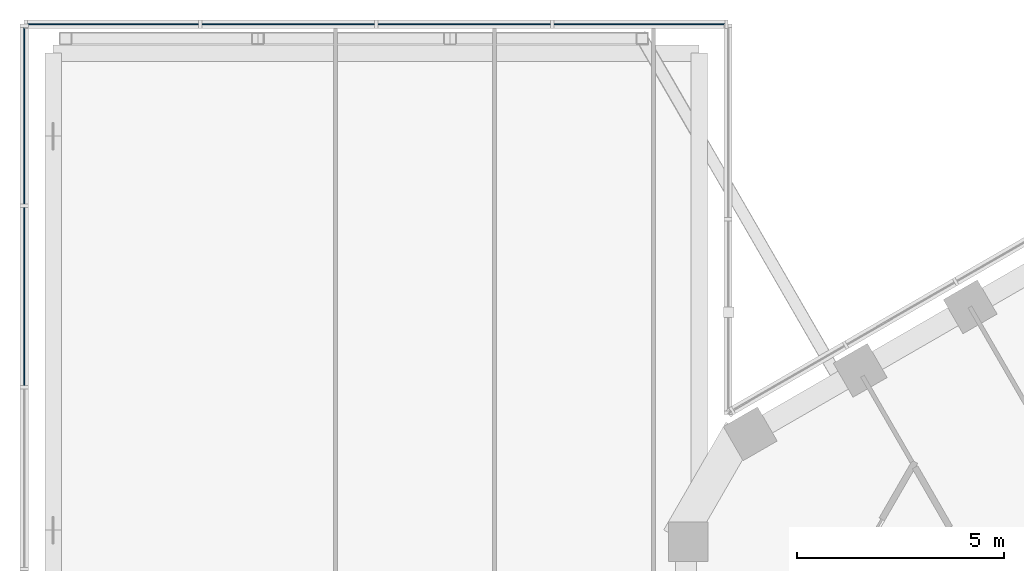
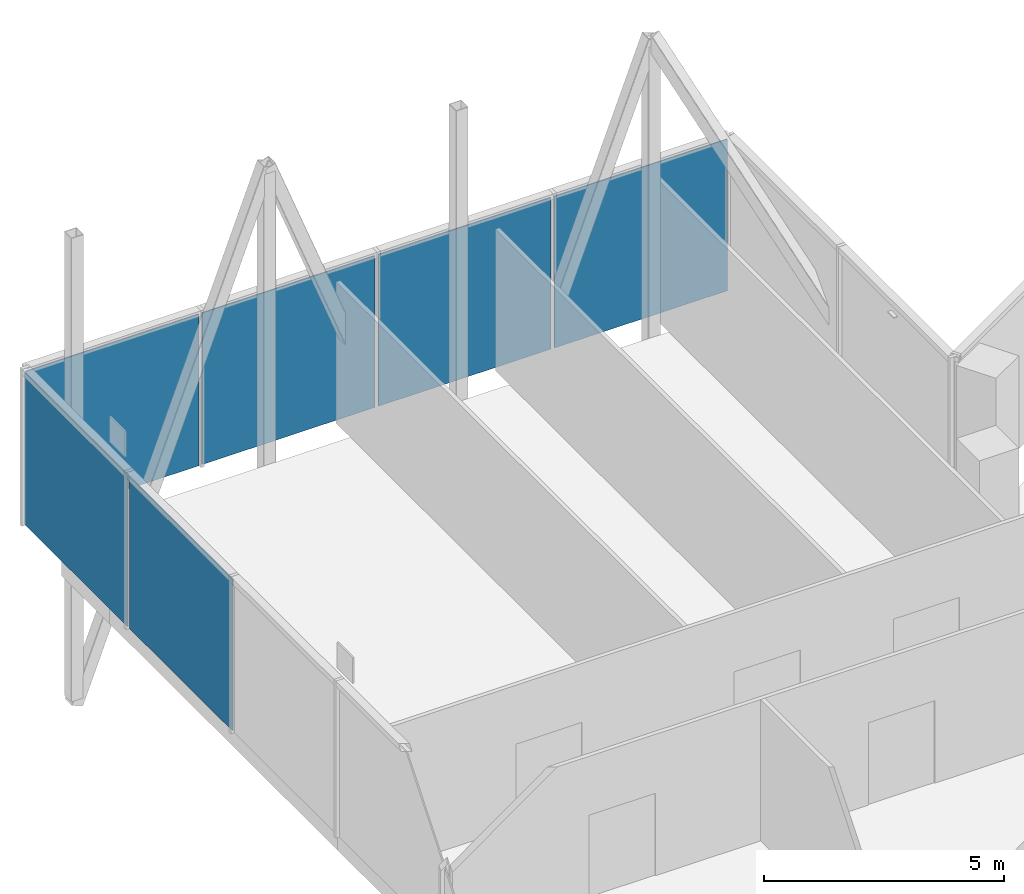
# One storey, part 12 of 21: 6 plates, 2 elements without a shape of their own.
"""IFC4 building model written with IfcOpenShell, lengths in metres."""

import ifcopenshell
import ifcopenshell.guid

model = None  # the IFC model being written
_history = None  # IfcOwnerHistory: only IFC2X3 demands one
_inside = {}  # id of a spatial element -> (the spatial element, [elements in it])
_under = {}  # id of a project, library or spatial element -> (it, [spatial elements below it])
_declared = {}  # id of a project -> (the project, [libraries it declares])
_typed = {}  # id of a type object -> (the type object, [elements of that type])
_made_of = {}  # id of a material, layer set ... -> (it, [elements and type objects made of it])


def new_model(schema):
    """Start an empty IFC model of exactly this schema.

    Asked for "IFC4X3", IfcOpenShell would pick the latest addendum, in which some entities
    have other attributes; the version numbers below select the first issue.
    IFC2X3 requires an IfcOwnerHistory on every rooted entity: one is made here for all.
    """
    global model, _history
    if schema == "IFC4X3":
        model = ifcopenshell.file(schema_version=(4, 3, 0, 0))
    else:
        model = ifcopenshell.file(schema=schema)
    _inside.clear()
    _under.clear()
    _declared.clear()
    _typed.clear()
    _made_of.clear()
    _history = None
    if model.schema == "IFC2X3":
        org = make("IfcOrganization", Name="unknown")
        user = make(
            "IfcPersonAndOrganization",
            ThePerson=make("IfcPerson", FamilyName="unknown"),
            TheOrganization=org,
        )
        app = make(
            "IfcApplication",
            ApplicationDeveloper=org,
            Version="unknown",
            ApplicationFullName="unknown",
            ApplicationIdentifier="unknown",
        )
        _history = make(
            "IfcOwnerHistory",
            OwningUser=user,
            OwningApplication=app,
            ChangeAction="ADDED",
            CreationDate=0,
        )
    return model


def make(cls, **values):
    """One entity of the class cls with the attributes given. An attribute that is None is left unset."""
    return model.create_entity(
        cls, **{name: value for name, value in values.items() if value is not None}
    )


def rooted(cls, **values):
    """An entity with a GlobalId (a new one), such as an element, a storey or a relation."""
    return make(cls, GlobalId=ifcopenshell.guid.new(), OwnerHistory=_history, **values)


def si_unit(unit_type, name, prefix=None):
    """IfcSIUnit, for example si_unit("LENGTHUNIT", "METRE", prefix="MILLI")."""
    return make("IfcSIUnit", UnitType=unit_type, Prefix=prefix, Name=name)


def assignment(units):
    """IfcUnitAssignment: the units of a project."""
    return None if units is None else make("IfcUnitAssignment", Units=units)


def point(xyz):
    """IfcCartesianPoint."""
    return None if xyz is None else make("IfcCartesianPoint", Coordinates=xyz)


def direction(xyz):
    """IfcDirection."""
    return None if xyz is None else make("IfcDirection", DirectionRatios=xyz)


def frame(location, z_axis=None, x_axis=None):
    """IfcAxis2Placement3D, a coordinate frame: its origin and axes. An axis left out is left unset."""
    return make(
        "IfcAxis2Placement3D",
        Location=point(location),
        Axis=direction(z_axis),
        RefDirection=direction(x_axis),
    )


def frame_2d(location, x_axis=None):
    """IfcAxis2Placement2D, a coordinate frame in the plane: its origin and x axis."""
    return make(
        "IfcAxis2Placement2D", Location=point(location), RefDirection=direction(x_axis)
    )


def origin():
    """The frame at (0, 0, 0) with its axes left unset."""
    return frame((0.0, 0.0, 0.0))


def origin_2d():
    """The frame at (0, 0) in the plane with its x axis left unset."""
    return frame_2d((0.0, 0.0))


def place(relative_to, where):
    """IfcLocalPlacement: puts the frame where relative to a parent placement (None: the world)."""
    return make(
        "IfcLocalPlacement", PlacementRelTo=relative_to, RelativePlacement=where
    )


def context(
    kind, dimensions, precision=None, world=None, true_north=None, identifier=None
):
    """IfcGeometricRepresentationContext, for example the 3D "Model" context."""
    return make(
        "IfcGeometricRepresentationContext",
        ContextIdentifier=identifier,
        ContextType=kind,
        CoordinateSpaceDimension=dimensions,
        Precision=precision,
        WorldCoordinateSystem=world,
        TrueNorth=true_north,
    )


def subcontext(parent, identifier, kind, view, scale=None):
    """IfcGeometricRepresentationSubContext, for example "Body" below "Model"."""
    return make(
        "IfcGeometricRepresentationSubContext",
        ContextIdentifier=identifier,
        ContextType=kind,
        ParentContext=parent,
        TargetScale=scale,
        TargetView=view,
    )


def project(units=None, contexts=None):
    """IfcProject with its units and contexts."""
    return rooted(
        "IfcProject",
        Name="project",
        RepresentationContexts=contexts,
        UnitsInContext=assignment(units),
    )


def spatial(cls, under=None, at=None, **own):
    """A site, building, storey or space (cls), placed at a placement, below another one or the project."""
    s = rooted(cls, ObjectPlacement=at, **own)
    if under is not None:
        _under.setdefault(under.id(), (under, []))[1].append(s)
    return s


def profile(cls, at=None, kind="AREA", **sizes):
    """A parametric profile (cls). Its sizes go by their IFC names, for example OverallWidth=200.0."""
    return make(cls, ProfileType=kind, Position=at, **sizes)


def rectangle(**sizes):
    """IfcRectangleProfileDef."""
    return profile("IfcRectangleProfileDef", **sizes)


def extrude(swept, where, along, depth):
    """IfcExtrudedAreaSolid: the profile swept, set in the frame where, extruded along a direction by depth."""
    return make(
        "IfcExtrudedAreaSolid",
        SweptArea=swept,
        Position=where,
        ExtrudedDirection=direction(along),
        Depth=depth,
    )


def shape(context_of_items, identifier, shape_type, items):
    """IfcShapeRepresentation: the items that make up one representation, for example the "Body"."""
    return make(
        "IfcShapeRepresentation",
        ContextOfItems=context_of_items,
        RepresentationIdentifier=identifier,
        RepresentationType=shape_type,
        Items=items,
    )


def material(Name=None, Category=None):
    """IfcMaterial."""
    return make("IfcMaterial", Name=Name, Category=Category)


def layer(
    of_material, thickness, ventilated=None, Name=None, Category=None, Priority=None
):
    """IfcMaterialLayer: one layer of a wall or slab, of a material (None: an air gap)."""
    return make(
        "IfcMaterialLayer",
        Material=of_material,
        LayerThickness=thickness,
        IsVentilated=ventilated,
        Name=Name,
        Category=Category,
        Priority=Priority,
    )


def layer_set(layers, Name=None):
    """IfcMaterialLayerSet."""
    return make("IfcMaterialLayerSet", MaterialLayers=layers, LayerSetName=Name)


def made_of(thing, what):
    """Note that an element or type object is made of a material, layer set ...; save() writes the relation."""
    if what is not None:
        _made_of.setdefault(what.id(), (what, []))[1].append(thing)
    return thing


def type_object(cls, material=None, **own):
    """A type object (cls), such as IfcWallType, which elements share."""
    return made_of(rooted(cls, **own), material)


def element(
    cls,
    number,
    at=None,
    inside=None,
    cuts=None,
    type_object=None,
    material=None,
    context=None,
    identifier="Body",
    shape_type=None,
    held_by="IfcProductDefinitionShape",
    body=None,
    shapes=None,
    **own,
):
    """One element of the class cls, such as IfcWall. Its Tag is "e" and its number.

    at: its placement. inside: the storey or other place that contains it. cuts: it is an
    opening in that element (IfcRelVoidsElement). A single representation is given by context,
    identifier, shape_type and body (its items); several are given by shapes. held_by: the class
    of the entity that holds the representations. save() writes the other relations.
    """
    e = rooted(cls, Tag="e%d" % number, ObjectPlacement=at, **own)
    if body is not None:
        shapes = [shape(context, identifier, shape_type, body)]
    if shapes is not None:
        e.Representation = make(held_by, Representations=shapes)
    if inside is not None:
        _inside.setdefault(inside.id(), (inside, []))[1].append(e)
    if cuts is not None:
        rooted(
            "IfcRelVoidsElement", RelatingBuildingElement=cuts, RelatedOpeningElement=e
        )
    if type_object is not None:
        _typed.setdefault(type_object.id(), (type_object, []))[1].append(e)
    return made_of(e, material)


def aggregate(whole, parts):
    """IfcRelAggregates: a whole, such as a stair, and the parts it consists of."""
    return rooted("IfcRelAggregates", RelatingObject=whole, RelatedObjects=parts)


def save(model, path):
    """Write the relations noted so far, then the file.

    IfcRelAggregates (storeys below a building ...), IfcRelContainedInSpatialStructure (elements
    in a storey), IfcRelDefinesByType, IfcRelAssociatesMaterial and IfcRelDeclares: one each for
    every whole, place, type object, material and project.
    """
    for whole, parts in _under.values():
        aggregate(whole, parts)
    for where, things in _inside.values():
        rooted(
            "IfcRelContainedInSpatialStructure",
            RelatedElements=things,
            RelatingStructure=where,
        )
    for kind, things in _typed.values():
        rooted("IfcRelDefinesByType", RelatedObjects=things, RelatingType=kind)
    for what, things in _made_of.values():
        rooted("IfcRelAssociatesMaterial", RelatedObjects=things, RelatingMaterial=what)
    for by, libraries in _declared.values():
        rooted("IfcRelDeclares", RelatingContext=by, RelatedDefinitions=libraries)
    model.write(path)


model = new_model("IFC4")

# Units and contexts
model_context = context("Model", 3, precision=1e-05, world=origin(), true_north=direction((0.0, 1.0)))
body_context = subcontext(model_context, "Body", "Model", "MODEL_VIEW")
ifc_project = project(units=[si_unit("LENGTHUNIT", "METRE"), si_unit("AREAUNIT", "SQUARE_METRE"), si_unit("VOLUMEUNIT", "CUBIC_METRE"), si_unit("PLANEANGLEUNIT", "RADIAN"), si_unit("MASSUNIT", "GRAM", prefix="KILO")], contexts=[model_context])

# Site, building, storey
site_placement = place(None, origin())
site = spatial("IfcSite", under=ifc_project, at=site_placement, CompositionType="ELEMENT")
building_placement = place(site_placement, origin())
building = spatial("IfcBuilding", under=site, at=building_placement, Name="Ayvan Gate Tower", CompositionType="ELEMENT")
storey_placement = place(building_placement, frame((0.0, 0.0, 206.10009765625)))
storey = spatial("IfcBuildingStorey", under=building, at=storey_placement, Name="L55", CompositionType="ELEMENT", Elevation=206.10009765625)

# Curtain wall, plates
ifc_material_1 = material(Name="Bronze anodised aluminium", Category="aluminium")
ifc_layer_1 = layer(ifc_material_1, 0.199951171875)
ifc_layer_set_1 = layer_set([ifc_layer_1], Name="Bronze anodised aluminium")
curtain_wall_type = type_object("IfcCurtainWallType", Name="Stick curtain wall CW-4", PredefinedType="NOTDEFINED", material=ifc_layer_set_1)
curtain_wall_1_placement = place(storey_placement, origin())
curtain_wall_1 = element("IfcCurtainWall", 1, at=curtain_wall_1_placement, inside=storey, type_object=curtain_wall_type, Name="Stick curtain wall CW-4 L55", PredefinedType="NOTDEFINED")
ifc_material_2 = material(Name="Pale anodised aluminium composite panel", Category="aluminium")
ifc_layer_2 = layer(ifc_material_2, 0.028076171875)
ifc_layer_set_2 = layer_set([ifc_layer_2], Name="Pale anodised aluminium composite panel")
plate_type = type_object("IfcPlateType", Name="Stick curtain wall CW-4 solid panel", PredefinedType="CURTAIN_PANEL", material=ifc_layer_set_2)
plate_1_placement = place(storey_placement, frame((-18.375732421875, 21.800048828125, 0.0), z_axis=(0.0, 0.0, 1.0), x_axis=(-1.0, 0.0, 0.0)))
plate_1 = element("IfcPlate", 2, at=plate_1_placement, type_object=plate_type, Name="CW-4 solid panel 1", PredefinedType="CURTAIN_PANEL", context=body_context, shape_type="SweptSolid", body=[
    extrude(rectangle(XDim=4.162353515625, YDim=0.028076171875, at=origin_2d()), origin(), (0.0, 0.0, 1.0), 3.860107421875),
])
plate_2_placement = place(storey_placement, frame((-22.6181640625, 21.800048828125, 0.0), z_axis=(0.0, 0.0, 1.0), x_axis=(-1.0, 0.0, 0.0)))
plate_2 = element("IfcPlate", 3, at=plate_2_placement, type_object=plate_type, Name="CW-4 solid panel 2", PredefinedType="CURTAIN_PANEL", context=body_context, shape_type="SweptSolid", body=[
    extrude(rectangle(XDim=4.162353515625, YDim=0.028076171875, at=origin_2d()), origin(), (0.0, 0.0, 1.0), 3.860107421875),
])
plate_3_placement = place(storey_placement, frame((-26.860595703125, 21.800048828125, 0.0), z_axis=(0.0, 0.0, 1.0), x_axis=(-1.0, 0.0, 0.0)))
plate_3 = element("IfcPlate", 4, at=plate_3_placement, type_object=plate_type, Name="CW-4 solid panel 3", PredefinedType="CURTAIN_PANEL", context=body_context, shape_type="SweptSolid", body=[
    extrude(rectangle(XDim=4.162353515625, YDim=0.028076171875, at=origin_2d()), origin(), (0.0, 0.0, 1.0), 3.860107421875),
])
plate_4_placement = place(storey_placement, frame((-31.10302734375, 21.800048828125, 0.0), z_axis=(0.0, 0.0, 1.0), x_axis=(-1.0, 0.0, 0.0)))
plate_4 = element("IfcPlate", 5, at=plate_4_placement, type_object=plate_type, Name="CW-4 solid panel 4", PredefinedType="CURTAIN_PANEL", context=body_context, shape_type="SweptSolid", body=[
    extrude(rectangle(XDim=4.162353515625, YDim=0.028076171875, at=origin_2d()), origin(), (0.0, 0.0, 1.0), 3.860107421875),
])
aggregate(curtain_wall_1, [plate_1, plate_2, plate_3, plate_4])

curtain_wall_2_placement = place(storey_placement, origin())
curtain_wall_2 = element("IfcCurtainWall", 6, at=curtain_wall_2_placement, inside=storey, type_object=curtain_wall_type, Name="Stick curtain wall CW-4 L55", PredefinedType="NOTDEFINED")
plate_5_placement = place(storey_placement, frame((-33.224365234375, 19.611083984375, 0.0), z_axis=(0.0, 0.0, 1.0), x_axis=(0.0, -1.0, 0.0)))
plate_5 = element("IfcPlate", 7, at=plate_5_placement, type_object=plate_type, Name="CW-4 solid panel 1", PredefinedType="CURTAIN_PANEL", context=body_context, shape_type="SweptSolid", body=[
    extrude(rectangle(XDim=4.2978515625, YDim=0.028076171875, at=origin_2d()), origin(), (0.0, 0.0, 1.0), 3.860107421875),
])
plate_6_placement = place(storey_placement, frame((-33.224365234375, 15.2333984375, 0.0), z_axis=(0.0, 0.0, 1.0), x_axis=(0.0, -1.0, 0.0)))
plate_6 = element("IfcPlate", 8, at=plate_6_placement, type_object=plate_type, Name="CW-4 solid panel 2", PredefinedType="CURTAIN_PANEL", context=body_context, shape_type="SweptSolid", body=[
    extrude(rectangle(XDim=4.2978515625, YDim=0.028076171875, at=origin_2d()), origin(), (0.0, 0.0, 1.0), 3.860107421875),
])
aggregate(curtain_wall_2, [plate_5, plate_6])

save(model, "model.ifc")
